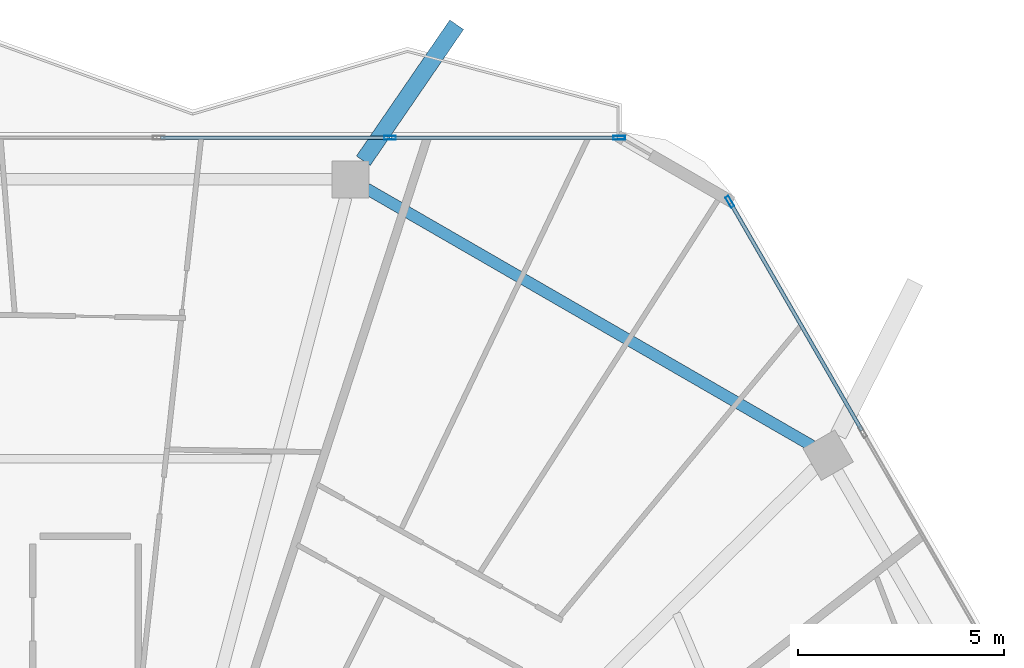
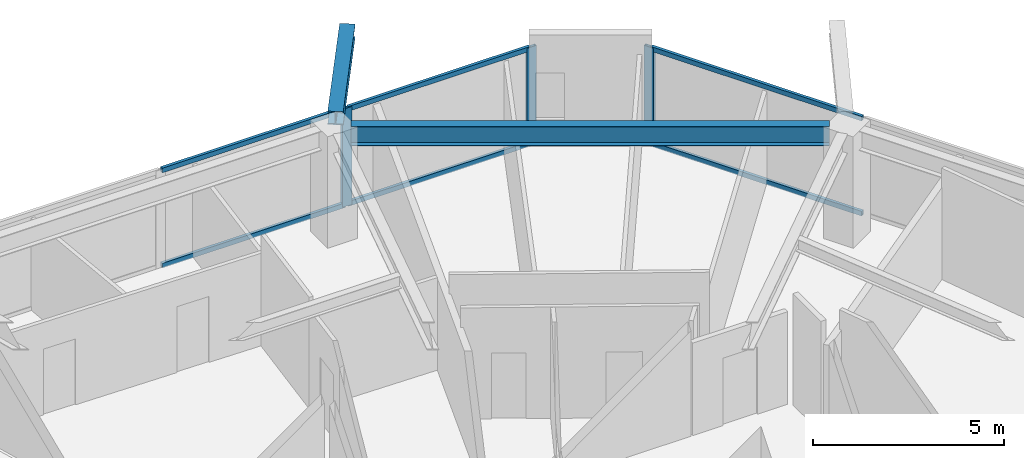
# One storey, part 17 of 26: 9 members, 2 beams, 2 elements without a shape of their own.
"""IFC4 building model written with IfcOpenShell, lengths in metres."""

from ifc_helpers import new_model, si_unit, direction, frame, origin, origin_2d, place, context, subcontext, project, spatial, hollow_rectangle, i_section, extrude, material, material_profile, profile_set, type_object, element, aggregate, save


model = new_model("IFC4")

# Units and contexts
model_context = context("Model", 3, precision=1e-05, world=origin(), true_north=direction((0.0, 1.0)))
body_context = subcontext(model_context, "Body", "Model", "MODEL_VIEW")
ifc_project = project(units=[si_unit("LENGTHUNIT", "METRE"), si_unit("AREAUNIT", "SQUARE_METRE"), si_unit("VOLUMEUNIT", "CUBIC_METRE"), si_unit("PLANEANGLEUNIT", "RADIAN"), si_unit("MASSUNIT", "GRAM", prefix="KILO")], contexts=[model_context])

# Site, building, storey
site_placement = place(None, origin())
site = spatial("IfcSite", under=ifc_project, at=site_placement, CompositionType="ELEMENT")
building_placement = place(site_placement, origin())
building = spatial("IfcBuilding", under=site, at=building_placement, Name="Zuhravey Tower", CompositionType="ELEMENT")
storey_placement = place(building_placement, frame((0.0, 0.0, 242.60009765625)))
storey = spatial("IfcBuildingStorey", under=building, at=storey_placement, Name="L61", CompositionType="ELEMENT", Elevation=242.60009765625)

# Curtain wall, members
ifc_material_1 = material(Name="Thermally broken anodised aluminium", Category="aluminium")
curtain_wall_type = type_object("IfcCurtainWallType", Name="Zone 3-4 High-Rise Curtain Wall CW4", PredefinedType="NOTDEFINED", material=ifc_material_1)
curtain_wall_1_placement = place(storey_placement, origin())
curtain_wall_1 = element("IfcCurtainWall", 1, at=curtain_wall_1_placement, inside=storey, type_object=curtain_wall_type, Name="L61 CW4 CW-L61-F2-2", PredefinedType="NOTDEFINED")
ifc_material_2 = material(Name="Anodised aluminium", Category="aluminium")
ifc_material_profile_1 = material_profile(ifc_material_2, hollow_rectangle(XDim=0.090087890625, YDim=0.284912109375, WallThickness=0.0048828125, at=origin_2d()), Name="ALU-RHS-90x285x5")
ifc_profile_set_1 = profile_set([ifc_material_profile_1], Name="Anodised aluminium")
member_type_1 = type_object("IfcMemberType", Name="Curtain-Wall Mullion 90x180", PredefinedType="MULLION", material=ifc_profile_set_1)
member_1_placement = place(storey_placement, frame((43.396728515625, 57.563720703125, 0.0), z_axis=(0.0, 0.0, 1.0), x_axis=(0.0, 1.0, 0.0)))
member_1 = element("IfcMember", 2, at=member_1_placement, type_object=member_type_1, Name="CW4 mullion 4", PredefinedType="MULLION", context=body_context, shape_type="SweptSolid", body=[
    extrude(hollow_rectangle(XDim=0.090087890625, YDim=0.284912109375, WallThickness=0.0048828125, at=origin_2d()), origin(), (0.0, 0.0, 1.0), 3.121826171875),
])
member_2_placement = place(storey_placement, frame((48.9677734375, 57.563720703125, 0.0), z_axis=(0.0, 0.0, 1.0), x_axis=(0.0, 1.0, 0.0)))
member_2 = element("IfcMember", 3, at=member_2_placement, type_object=member_type_1, Name="CW4 mullion 5", PredefinedType="MULLION", context=body_context, shape_type="SweptSolid", body=[
    extrude(hollow_rectangle(XDim=0.090087890625, YDim=0.284912109375, WallThickness=0.0048828125, at=origin_2d()), origin(), (0.0, 0.0, 1.0), 3.121826171875),
])

# Curtain wall, member
curtain_wall_2_placement = place(storey_placement, origin())
curtain_wall_2 = element("IfcCurtainWall", 4, at=curtain_wall_2_placement, inside=storey, type_object=curtain_wall_type, Name="L61 CW4 CW-L61-F1-1", PredefinedType="NOTDEFINED")
member_3_placement = place(storey_placement, frame((51.65478515625, 56.01220703125, 0.0), z_axis=(0.0, 0.0, 1.0), x_axis=(0.866024851021, 0.500000957414, 0.0)))
member_3 = element("IfcMember", 5, at=member_3_placement, type_object=member_type_1, Name="CW4 mullion 1", PredefinedType="MULLION", context=body_context, shape_type="SweptSolid", body=[
    extrude(hollow_rectangle(XDim=0.090087890625, YDim=0.284912109375, WallThickness=0.0048828125, at=origin_2d()), origin(), (0.0, 0.0, 1.0), 3.121826171875),
])

# Member
ifc_material_profile_2 = material_profile(ifc_material_2, hollow_rectangle(XDim=0.090087890625, YDim=0.14990234375, WallThickness=0.0048828125, at=origin_2d()), Name="ALU-RHS-90x150x5")
ifc_profile_set_2 = profile_set([ifc_material_profile_2], Name="Anodised aluminium")
member_type_2 = type_object("IfcMemberType", Name="Curtain-Wall Transom 90x150", PredefinedType="USERDEFINED", material=ifc_profile_set_2)
member_4_placement = place(storey_placement, frame((37.825927734375, 57.563720703125, 0.044921875), z_axis=(1.0, 0.0, 0.0), x_axis=(0.0, 1.0, 0.0)))
member_4 = element("IfcMember", 6, at=member_4_placement, type_object=member_type_2, Name="CW4 transom 3.1", ObjectType="TRANSOM", PredefinedType="USERDEFINED", context=body_context, shape_type="SweptSolid", body=[
    extrude(hollow_rectangle(XDim=0.090087890625, YDim=0.14990234375, WallThickness=0.0048828125, at=origin_2d()), origin(), (0.0, 0.0, 1.0), 5.52587890625),
])

member_5_placement = place(storey_placement, frame((37.825927734375, 57.563720703125, 3.076904296875), z_axis=(1.0, 0.0, 0.0), x_axis=(0.0, 1.0, 0.0)))
member_5 = element("IfcMember", 7, at=member_5_placement, type_object=member_type_2, Name="CW4 transom 3.2", ObjectType="TRANSOM", PredefinedType="USERDEFINED", context=body_context, shape_type="SweptSolid", body=[
    extrude(hollow_rectangle(XDim=0.090087890625, YDim=0.14990234375, WallThickness=0.0048828125, at=origin_2d()), origin(), (0.0, 0.0, 1.0), 5.52587890625),
])

member_6_placement = place(storey_placement, frame((43.44189453125, 57.563720703125, 0.044921875), z_axis=(1.0, 0.0, 0.0), x_axis=(0.0, 1.0, 0.0)))
member_6 = element("IfcMember", 8, at=member_6_placement, type_object=member_type_2, Name="CW4 transom 4.1", ObjectType="TRANSOM", PredefinedType="USERDEFINED", context=body_context, shape_type="SweptSolid", body=[
    extrude(hollow_rectangle(XDim=0.090087890625, YDim=0.14990234375, WallThickness=0.0048828125, at=origin_2d()), origin(), (0.0, 0.0, 1.0), 5.480712890625),
])

member_7_placement = place(storey_placement, frame((43.44189453125, 57.563720703125, 3.076904296875), z_axis=(1.0, 0.0, 0.0), x_axis=(0.0, 1.0, 0.0)))
member_7 = element("IfcMember", 9, at=member_7_placement, type_object=member_type_2, Name="CW4 transom 4.2", ObjectType="TRANSOM", PredefinedType="USERDEFINED", context=body_context, shape_type="SweptSolid", body=[
    extrude(hollow_rectangle(XDim=0.090087890625, YDim=0.14990234375, WallThickness=0.0048828125, at=origin_2d()), origin(), (0.0, 0.0, 1.0), 5.480712890625),
])

aggregate(curtain_wall_1, [member_1, member_2, member_4, member_5, member_6, member_7])

member_8_placement = place(storey_placement, frame((51.677490234375, 55.97314453125, 0.044921875), z_axis=(0.499980071345, -0.866036909293, 0.0), x_axis=(0.866036909293, 0.499980071345, 0.0)))
member_8 = element("IfcMember", 10, at=member_8_placement, type_object=member_type_2, Name="CW4 transom 1.1", ObjectType="TRANSOM", PredefinedType="USERDEFINED", context=body_context, shape_type="SweptSolid", body=[
    extrude(hollow_rectangle(XDim=0.090087890625, YDim=0.14990234375, WallThickness=0.0048828125, at=origin_2d()), origin(), (0.0, 0.0, 1.0), 6.371337890625),
])

member_9_placement = place(storey_placement, frame((51.677490234375, 55.97314453125, 3.076904296875), z_axis=(0.499980071345, -0.866036909293, 0.0), x_axis=(0.866036909293, 0.499980071345, 0.0)))
member_9 = element("IfcMember", 11, at=member_9_placement, type_object=member_type_2, Name="CW4 transom 1.2", ObjectType="TRANSOM", PredefinedType="USERDEFINED", context=body_context, shape_type="SweptSolid", body=[
    extrude(hollow_rectangle(XDim=0.090087890625, YDim=0.14990234375, WallThickness=0.0048828125, at=origin_2d()), origin(), (0.0, 0.0, 1.0), 6.371337890625),
])

aggregate(curtain_wall_2, [member_3, member_8, member_9])

# Beams
ifc_material_3 = material(Name="Steel SM460", Category="steel")
ifc_material_profile_3 = material_profile(ifc_material_3, i_section(OverallWidth=0.406982421875, OverallDepth=0.427978515625, WebThickness=0.02001953125, FlangeThickness=0.034912109375, at=origin_2d()), Name="H-428x407x20x35")
ifc_profile_set_3 = profile_set([ifc_material_profile_3], Name="Steel SM460")
beam_type_1 = type_object("IfcBeamType", Name="Exoskeleton Node Tie Beam H428x407", PredefinedType="BEAM", material=ifc_profile_set_3)
beam_1_placement = place(storey_placement, frame((42.752197265625, 57.0068359375, 3.3359375), z_axis=(0.565936679704, 0.824448709481, 0.0), x_axis=(-0.824448709481, 0.565936679704, 0.0)))
element("IfcBeam", 12, at=beam_1_placement, inside=storey, type_object=beam_type_1, Name="L61 Exoskeleton Node Tie NT1-03", PredefinedType="BEAM", context=body_context, shape_type="SweptSolid", body=[
    extrude(i_section(OverallWidth=0.406982421875, OverallDepth=0.427978515625, WebThickness=0.02001953125, FlangeThickness=0.034912109375, at=origin_2d()), origin(), (0.0, 0.0, 1.0), 4.008056640625),
])
ifc_material_4 = material(Name="Steel SM355", Category="steel")
ifc_material_profile_4 = material_profile(ifc_material_4, i_section(OverallWidth=0.280029296875, OverallDepth=0.6201171875, WebThickness=0.011962890625, FlangeThickness=0.02001953125, at=origin_2d()), Name="H-620x280x12x20")
ifc_profile_set_4 = profile_set([ifc_material_profile_4], Name="Steel SM355")
beam_type_2 = type_object("IfcBeamType", Name="Perimeter Ring Beam H620x280", PredefinedType="BEAM", material=ifc_profile_set_4)
beam_2_placement = place(storey_placement, frame((53.6513671875, 50.081298828125, 3.239990234375), z_axis=(-0.866025131093, 0.500000472315, 0.0), x_axis=(-0.500000472315, -0.866025131093, 0.0)))
element("IfcBeam", 13, at=beam_2_placement, inside=storey, type_object=beam_type_2, Name="L61 PB3 BM-L61-PB-02", PredefinedType="BEAM", context=body_context, shape_type="SweptSolid", body=[
    extrude(i_section(OverallWidth=0.280029296875, OverallDepth=0.6201171875, WebThickness=0.011962890625, FlangeThickness=0.02001953125, at=origin_2d()), origin(), (0.0, 0.0, 1.0), 12.49169921875),
])

save(model, "model.ifc")
